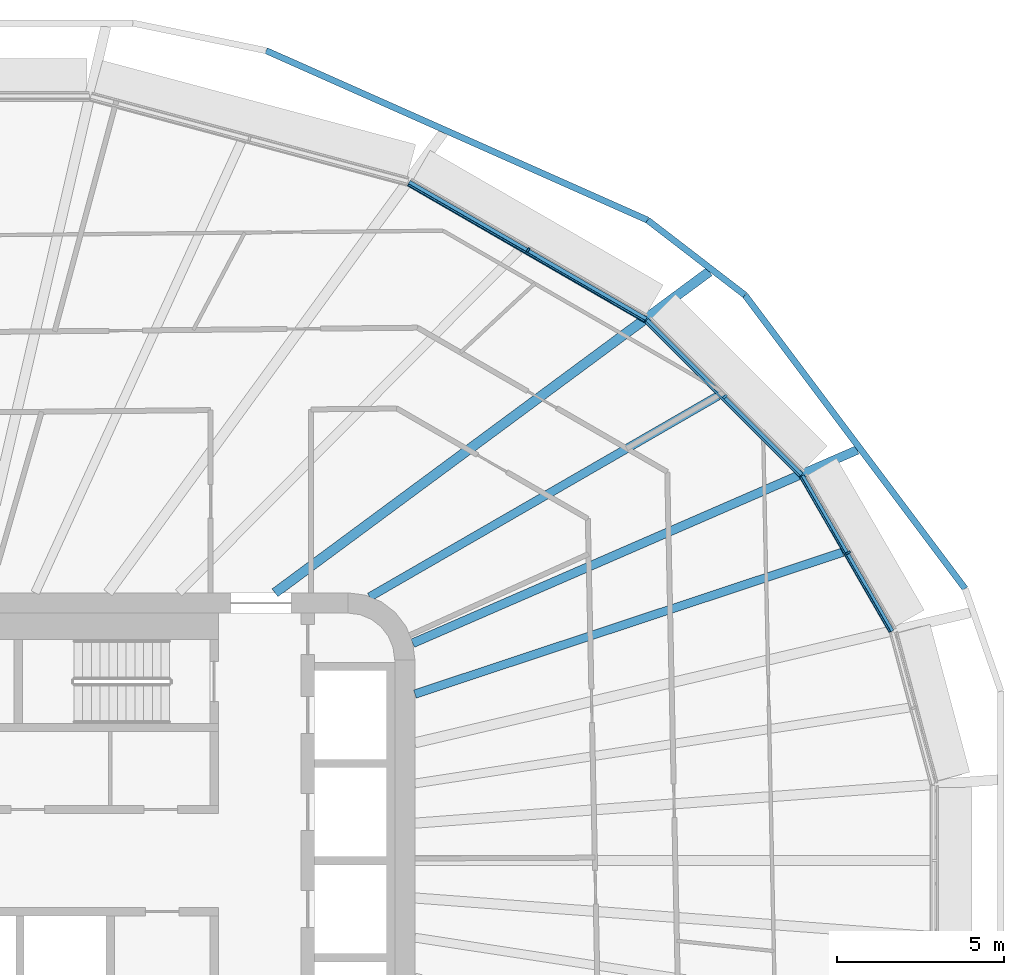
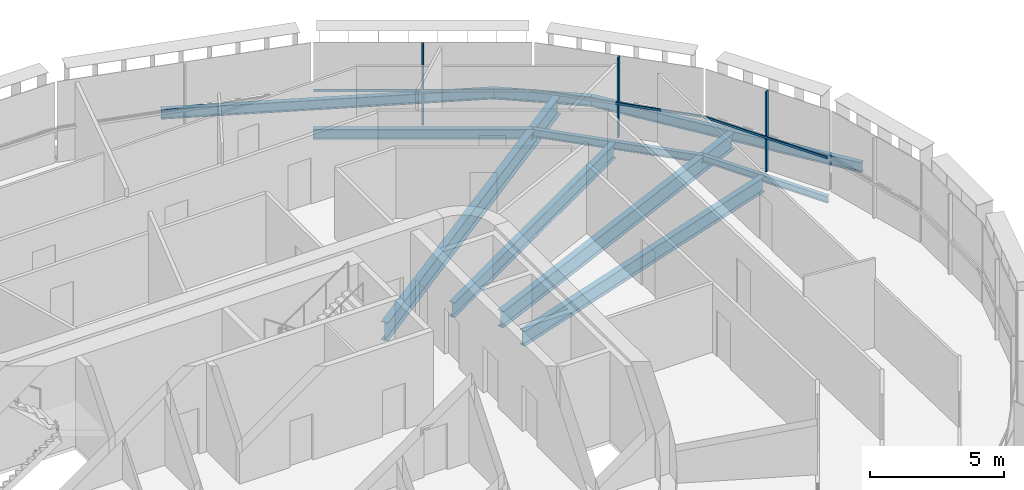
# One storey, part 10 of 24: 10 beams, 6 members, 3 elements without a shape of their own.
"""IFC4 building model written with IfcOpenShell, lengths in metres."""

from ifc_helpers import new_model, si_unit, direction, frame, origin, origin_2d, place, context, subcontext, project, spatial, rectangle, i_section, extrude, material, layer, layer_set, material_profile, profile_set, type_object, element, aggregate, save


model = new_model("IFC4")

# Units and contexts
model_context = context("Model", 3, precision=1e-05, world=origin(), true_north=direction((0.0, 1.0)))
body_context = subcontext(model_context, "Body", "Model", "MODEL_VIEW")
ifc_project = project(units=[si_unit("LENGTHUNIT", "METRE"), si_unit("AREAUNIT", "SQUARE_METRE"), si_unit("VOLUMEUNIT", "CUBIC_METRE"), si_unit("PLANEANGLEUNIT", "RADIAN"), si_unit("MASSUNIT", "GRAM", prefix="KILO")], contexts=[model_context])

# Site, building, storey
site_placement = place(None, origin())
site = spatial("IfcSite", under=ifc_project, at=site_placement, CompositionType="ELEMENT")
building_placement = place(site_placement, origin())
building = spatial("IfcBuilding", under=site, at=building_placement, Name="Sahrelin Media Tower", CompositionType="ELEMENT")
storey_placement = place(building_placement, frame((0.0, 0.0, 58.800048828125)))
storey = spatial("IfcBuildingStorey", under=building, at=storey_placement, Name="L09", CompositionType="ELEMENT", Elevation=58.800048828125)

# Beams
ifc_material_1 = material(Name="Steel S355", Category="steel")
ifc_material_profile_1 = material_profile(ifc_material_1, i_section(OverallWidth=0.1650390625, OverallDepth=0.303466796875, WebThickness=0.006103515625, FlangeThickness=0.01025390625, FilletRadius=0.0087890625, at=origin_2d()), Name="UB 305x165x40")
ifc_profile_set_1 = profile_set([ifc_material_profile_1], Name="Steel S355")
beam_type_1 = type_object("IfcBeamType", Name="Edge beam EB2", PredefinedType="BEAM", material=ifc_profile_set_1)
beam_1_placement = place(storey_placement, frame((26.554443359375, 11.48974609375, -0.3017578125), z_axis=(0.500011394563, -0.86601882503, 0.0), x_axis=(0.86601882503, 0.500011394563, 0.0)))
element("IfcBeam", 1, at=beam_1_placement, inside=storey, type_object=beam_type_1, Name="Edge beam L09-23", PredefinedType="BEAM", context=body_context, shape_type="SweptSolid", body=[
    extrude(i_section(OverallWidth=0.1650390625, OverallDepth=0.303466796875, WebThickness=0.006103515625, FlangeThickness=0.01025390625, FilletRadius=0.0087890625, at=origin_2d()), origin(), (0.0, 0.0, 1.0), 5.363525390625),
])
ifc_material_profile_2 = material_profile(ifc_material_1, i_section(OverallWidth=0.17138671875, OverallDepth=0.35498046875, WebThickness=0.00732421875, FlangeThickness=0.011474609375, FilletRadius=0.01025390625, at=origin_2d()), Name="UB 356x171x51")
ifc_profile_set_2 = profile_set([ifc_material_profile_2], Name="Steel S355")
beam_type_2 = type_object("IfcBeamType", Name="Edge beam EB3", PredefinedType="BEAM", material=ifc_profile_set_2)
beam_2_placement = place(storey_placement, frame((21.91455078125, 16.135009765625, -0.32763671875), z_axis=(0.707106781187, -0.707106781187, 0.0), x_axis=(0.707106781187, 0.707106781187, 0.0)))
element("IfcBeam", 2, at=beam_2_placement, inside=storey, type_object=beam_type_2, Name="Edge beam L09-22", PredefinedType="BEAM", context=body_context, shape_type="SweptSolid", body=[
    extrude(i_section(OverallWidth=0.17138671875, OverallDepth=0.35498046875, WebThickness=0.00732421875, FlangeThickness=0.011474609375, FilletRadius=0.01025390625, at=origin_2d()), origin(), (0.0, 0.0, 1.0), 6.536865234375),
])
ifc_material_profile_3 = material_profile(ifc_material_1, i_section(OverallWidth=0.1904296875, OverallDepth=0.45703125, WebThickness=0.009033203125, FlangeThickness=0.014404296875, FilletRadius=0.01025390625, at=origin_2d()), Name="UB 457x191x74")
ifc_profile_set_3 = profile_set([ifc_material_profile_3], Name="Steel S355")
beam_type_3 = type_object("IfcBeamType", Name="Edge beam EB5", PredefinedType="BEAM", material=ifc_profile_set_3)
beam_3_placement = place(storey_placement, frame((14.8134765625, 20.2392578125, -0.378662109375), z_axis=(0.866019440968, -0.500010327758, 0.0), x_axis=(0.500010327758, 0.866019440968, 0.0)))
element("IfcBeam", 3, at=beam_3_placement, inside=storey, type_object=beam_type_3, Name="Edge beam L09-21", PredefinedType="BEAM", context=body_context, shape_type="SweptSolid", body=[
    extrude(i_section(OverallWidth=0.1904296875, OverallDepth=0.45703125, WebThickness=0.009033203125, FlangeThickness=0.014404296875, FilletRadius=0.01025390625, at=origin_2d()), origin(), (0.0, 0.0, 1.0), 8.173095703125),
])

# Curtain wall, member
ifc_material_2 = material(Name="Champagne anodised aluminium 6063-T6", Category="aluminium")
ifc_layer = layer(ifc_material_2, 0.14990234375)
ifc_layer_set = layer_set([ifc_layer], Name="Tower ribbon curtain wall")
curtain_wall_type = type_object("IfcCurtainWallType", Name="Tower ribbon curtain wall", PredefinedType="NOTDEFINED", material=ifc_layer_set)
curtain_wall_1_placement = place(storey_placement, frame((28.025390625, 9.2421875, 0.0), z_axis=(0.0, 0.0, 1.0), x_axis=(1.0, 0.0, 0.0)))
curtain_wall_1 = element("IfcCurtainWall", 4, at=curtain_wall_1_placement, inside=storey, type_object=curtain_wall_type, Name="L09:CW:L09-02", PredefinedType="NOTDEFINED")
ifc_material_profile_4 = material_profile(ifc_material_2, rectangle(XDim=0.06005859375, YDim=0.14990234375, at=origin_2d()), Name="Mullion 60x150")
ifc_profile_set_4 = profile_set([ifc_material_profile_4], Name="Champagne anodised aluminium 6063-T6")
member_type_1 = type_object("IfcMemberType", Name="Mullion 60x150 CW1", PredefinedType="MULLION", material=ifc_profile_set_4)
member_1_placement = place(storey_placement, frame((27.943115234375, 9.194580078125, 0.0), z_axis=(0.0, 0.0, 1.0), x_axis=(-0.500007557478, 0.866021040428, 0.0)))
member_1 = element("IfcMember", 5, at=member_1_placement, type_object=member_type_1, Name="L09:CWM:L09-02", PredefinedType="MULLION", context=body_context, shape_type="SweptSolid", body=[
    extrude(rectangle(XDim=0.06005859375, YDim=0.14990234375, at=origin_2d()), origin(), (0.0, 0.0, 1.0), 3.6484375),
])

curtain_wall_2_placement = place(storey_placement, frame((24.331787109375, 13.929931640625, 0.0), z_axis=(0.0, 0.0, 1.0), x_axis=(1.0, 0.0, 0.0)))
curtain_wall_2 = element("IfcCurtainWall", 6, at=curtain_wall_2_placement, inside=storey, type_object=curtain_wall_type, Name="L09:CW:L09-03", PredefinedType="NOTDEFINED")
member_2_placement = place(storey_placement, frame((24.2646484375, 13.86279296875, 0.0), z_axis=(0.0, 0.0, 1.0), x_axis=(-0.707106781187, 0.707106781187, 0.0)))
member_2 = element("IfcMember", 7, at=member_2_placement, type_object=member_type_1, Name="L09:CWM:L09-03", PredefinedType="MULLION", context=body_context, shape_type="SweptSolid", body=[
    extrude(rectangle(XDim=0.06005859375, YDim=0.14990234375, at=origin_2d()), origin(), (0.0, 0.0, 1.0), 3.6484375),
])

curtain_wall_3_placement = place(storey_placement, frame((18.427490234375, 18.32568359375, 0.0), z_axis=(0.0, 0.0, 1.0), x_axis=(1.0, 0.0, 0.0)))
curtain_wall_3 = element("IfcCurtainWall", 8, at=curtain_wall_3_placement, inside=storey, type_object=curtain_wall_type, Name="L09:CW:L09-04", PredefinedType="NOTDEFINED")
member_3_placement = place(storey_placement, frame((18.3798828125, 18.24365234375, 0.0), z_axis=(0.0, 0.0, 1.0), x_axis=(-0.866025403784, 0.5, 0.0)))
member_3 = element("IfcMember", 9, at=member_3_placement, type_object=member_type_1, Name="L09:CWM:L09-04", PredefinedType="MULLION", context=body_context, shape_type="SweptSolid", body=[
    extrude(rectangle(XDim=0.06005859375, YDim=0.14990234375, at=origin_2d()), origin(), (0.0, 0.0, 1.0), 3.6484375),
])

# Beams
ifc_material_profile_5 = material_profile(ifc_material_1, i_section(OverallWidth=0.291748046875, OverallDepth=0.8349609375, WebThickness=0.013916015625, FlangeThickness=0.018798828125, FilletRadius=0.017822265625, at=origin_2d()), Name="UB 838x292x176")
ifc_profile_set_5 = profile_set([ifc_material_profile_5], Name="Steel S355")
beam_type_4 = type_object("IfcBeamType", Name="Radial primary beam PB10", PredefinedType="BEAM", material=ifc_profile_set_5)
beam_4_placement = place(storey_placement, frame((10.818603515625, 8.0, -0.567626953125), z_axis=(0.804053202337, 0.594557354518, 0.0), x_axis=(-0.594557354518, 0.804053202337, 0.0)))
element("IfcBeam", 10, at=beam_4_placement, inside=storey, type_object=beam_type_4, Name="Radial beam L09-04", PredefinedType="BEAM", context=body_context, shape_type="SweptSolid", body=[
    extrude(i_section(OverallWidth=0.291748046875, OverallDepth=0.8349609375, WebThickness=0.013916015625, FlangeThickness=0.018798828125, FilletRadius=0.017822265625, at=origin_2d()), origin(), (0.0, 0.0, 1.0), 16.13916015625),
])
ifc_material_profile_6 = material_profile(ifc_material_1, i_section(OverallWidth=0.26513671875, OverallDepth=0.75390625, WebThickness=0.0126953125, FlangeThickness=0.017578125, FilletRadius=0.0166015625, at=origin_2d()), Name="UB 762x267x147")
ifc_profile_set_6 = profile_set([ifc_material_profile_6], Name="Steel S355")
beam_type_5 = type_object("IfcBeamType", Name="Radial primary beam PB9", PredefinedType="BEAM", material=ifc_profile_set_6)
beam_5_placement = place(storey_placement, frame((14.93505859375, 6.493408203125, -0.527099609375), z_axis=(0.917065499271, 0.398736592309, 0.0), x_axis=(-0.398736592309, 0.917065499271, 0.0)))
element("IfcBeam", 11, at=beam_5_placement, inside=storey, type_object=beam_type_5, Name="Radial beam L09-03", PredefinedType="BEAM", context=body_context, shape_type="SweptSolid", body=[
    extrude(i_section(OverallWidth=0.26513671875, OverallDepth=0.75390625, WebThickness=0.0126953125, FlangeThickness=0.017578125, FilletRadius=0.0166015625, at=origin_2d()), origin(), (0.0, 0.0, 1.0), 14.47998046875),
])
ifc_material_profile_7 = material_profile(ifc_material_1, i_section(OverallWidth=0.2529296875, OverallDepth=0.677978515625, WebThickness=0.01171875, FlangeThickness=0.01611328125, FilletRadius=0.01513671875, at=origin_2d()), Name="UB 686x254x125")
ifc_profile_set_7 = profile_set([ifc_material_profile_7], Name="Steel S355")
beam_type_6 = type_object("IfcBeamType", Name="Radial secondary beam SB8", PredefinedType="BEAM", material=ifc_profile_set_7)
beam_6_placement = place(storey_placement, frame((15.0, 4.974609375, -0.489013671875), z_axis=(0.949164712184, 0.314779842342, 0.0), x_axis=(-0.314779842342, 0.949164712184, 0.0)))
element("IfcBeam", 12, at=beam_6_placement, inside=storey, type_object=beam_type_6, Name="Secondary beam L09-02", PredefinedType="BEAM", context=body_context, shape_type="SweptSolid", body=[
    extrude(i_section(OverallWidth=0.2529296875, OverallDepth=0.677978515625, WebThickness=0.01171875, FlangeThickness=0.01611328125, FilletRadius=0.01513671875, at=origin_2d()), origin(), (0.0, 0.0, 1.0), 13.458740234375),
])
beam_7_placement = place(storey_placement, frame((13.6494140625, 7.877197265625, -0.489013671875), z_axis=(0.866108058974, 0.499856809677, 0.0), x_axis=(-0.499856809677, 0.866108058974, 0.0)))
element("IfcBeam", 13, at=beam_7_placement, inside=storey, type_object=beam_type_6, Name="Secondary beam L09-03", PredefinedType="BEAM", context=body_context, shape_type="SweptSolid", body=[
    extrude(i_section(OverallWidth=0.2529296875, OverallDepth=0.677978515625, WebThickness=0.01171875, FlangeThickness=0.01611328125, FilletRadius=0.01513671875, at=origin_2d()), origin(), (0.0, 0.0, 1.0), 12.00732421875),
])
ifc_material_profile_8 = material_profile(ifc_material_1, i_section(OverallWidth=0.1904296875, OverallDepth=0.45703125, WebThickness=0.009033203125, FlangeThickness=0.014404296875, FilletRadius=0.01025390625, at=origin_2d()), Name="UB 457x191x74")
ifc_profile_set_8 = profile_set([ifc_material_profile_8], Name="Steel S355")
beam_type_7 = type_object("IfcBeamType", Name="Tie chord TC5", PredefinedType="BEAM", material=ifc_profile_set_8)
beam_8_placement = place(storey_placement, frame((31.440673828125, 8.12451171875, -0.378662109375), z_axis=(-0.600064126043, 0.799951901452, 0.0), x_axis=(-0.799951901452, -0.600064126043, 0.0)))
element("IfcBeam", 14, at=beam_8_placement, inside=storey, type_object=beam_type_7, Name="Tie chord L09-02", PredefinedType="BEAM", context=body_context, shape_type="SweptSolid", body=[
    extrude(i_section(OverallWidth=0.1904296875, OverallDepth=0.45703125, WebThickness=0.009033203125, FlangeThickness=0.014404296875, FilletRadius=0.01025390625, at=origin_2d()), origin(), (0.0, 0.0, 1.0), 10.96435546875),
])
beam_9_placement = place(storey_placement, frame((24.861328125, 16.8955078125, -0.378662109375), z_axis=(-0.792455930627, 0.609929174588, 0.0), x_axis=(-0.609929174588, -0.792455930627, 0.0)))
element("IfcBeam", 15, at=beam_9_placement, inside=storey, type_object=beam_type_7, Name="Tie chord L09-03", PredefinedType="BEAM", context=body_context, shape_type="SweptSolid", body=[
    extrude(i_section(OverallWidth=0.1904296875, OverallDepth=0.45703125, WebThickness=0.009033203125, FlangeThickness=0.014404296875, FilletRadius=0.01025390625, at=origin_2d()), origin(), (0.0, 0.0, 1.0), 3.6728515625),
])
beam_10_placement = place(storey_placement, frame((21.95068359375, 19.1357421875, -0.378662109375), z_axis=(-0.91383253847, 0.406091235602, 0.0), x_axis=(-0.406091235602, -0.91383253847, 0.0)))
element("IfcBeam", 16, at=beam_10_placement, inside=storey, type_object=beam_type_7, Name="Tie chord L09-04", PredefinedType="BEAM", context=body_context, shape_type="SweptSolid", body=[
    extrude(i_section(OverallWidth=0.1904296875, OverallDepth=0.45703125, WebThickness=0.009033203125, FlangeThickness=0.014404296875, FilletRadius=0.01025390625, at=origin_2d()), origin(), (0.0, 0.0, 1.0), 12.469970703125),
])

# Member
ifc_material_profile_9 = material_profile(ifc_material_2, rectangle(XDim=0.050048828125, YDim=0.10009765625, at=origin_2d()), Name="Transom 50x100")
ifc_profile_set_9 = profile_set([ifc_material_profile_9], Name="Champagne anodised aluminium 6063-T6")
member_type_2 = type_object("IfcMemberType", Name="Transom 50x100 CW1", PredefinedType="USERDEFINED", material=ifc_profile_set_9)
member_4_placement = place(storey_placement, frame((29.189453125, 6.835693359375, 1.599853515625), z_axis=(-0.500014410368, 0.866017083794, 0.0), x_axis=(-0.866017083794, -0.500014410368, 0.0)))
member_4 = element("IfcMember", 17, at=member_4_placement, type_object=member_type_2, Name="L09:CWT:L09-02", ObjectType="TRANSOM", PredefinedType="USERDEFINED", context=body_context, shape_type="SweptSolid", body=[
    extrude(rectangle(XDim=0.050048828125, YDim=0.10009765625, at=origin_2d()), origin(), (0.0, 0.0, 1.0), 5.332275390625),
])

aggregate(curtain_wall_1, [member_1, member_4])

member_5_placement = place(storey_placement, frame((26.493896484375, 11.491943359375, 1.599853515625), z_axis=(-0.707088017324, 0.707125544551, 0.0), x_axis=(-0.707125544551, -0.707088017324, 0.0)))
member_5 = element("IfcMember", 18, at=member_5_placement, type_object=member_type_2, Name="L09:CWT:L09-03", ObjectType="TRANSOM", PredefinedType="USERDEFINED", context=body_context, shape_type="SweptSolid", body=[
    extrude(rectangle(XDim=0.050048828125, YDim=0.10009765625, at=origin_2d()), origin(), (0.0, 0.0, 1.0), 6.505615234375),
])

aggregate(curtain_wall_2, [member_2, member_5])

member_6_placement = place(storey_placement, frame((21.85546875, 16.12158203125, 1.599853515625), z_axis=(-0.866031287275, 0.499989809357, 0.0), x_axis=(-0.499989809357, -0.866031287275, 0.0)))
member_6 = element("IfcMember", 19, at=member_6_placement, type_object=member_type_2, Name="L09:CWT:L09-04", ObjectType="TRANSOM", PredefinedType="USERDEFINED", context=body_context, shape_type="SweptSolid", body=[
    extrude(rectangle(XDim=0.050048828125, YDim=0.10009765625, at=origin_2d()), origin(), (0.0, 0.0, 1.0), 8.141845703125),
])

aggregate(curtain_wall_3, [member_3, member_6])

save(model, "model.ifc")
